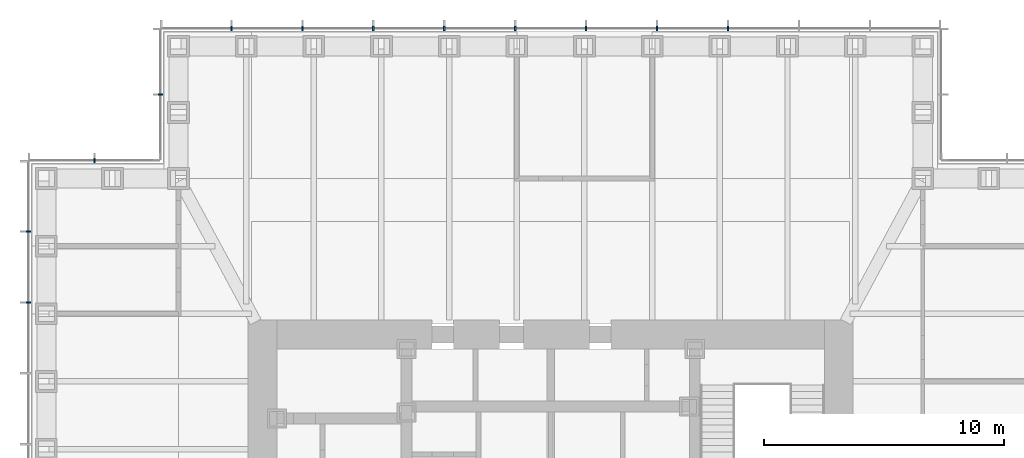
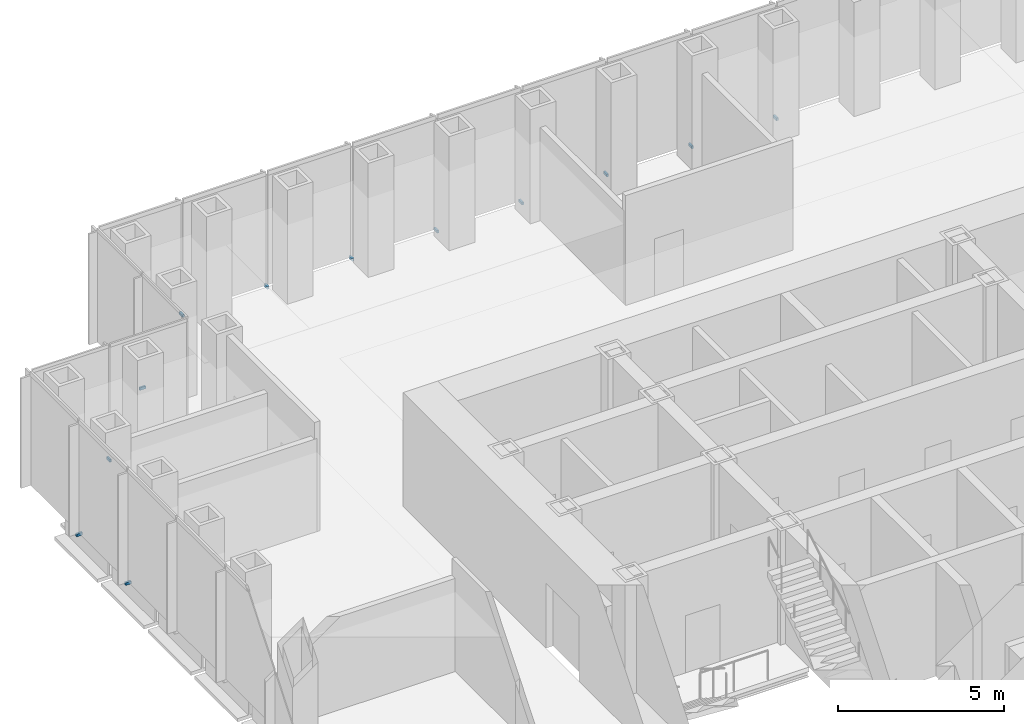
# One storey, part 14 of 16: 12 discrete accessories.
"""IFC4 building model written with IfcOpenShell, lengths in metres."""

from ifc_helpers import new_model, si_unit, direction, frame, origin, origin_2d, place, context, subcontext, project, spatial, rectangle, extrude, element, save


model = new_model("IFC4")

# Units and contexts
model_context = context("Model", 3, precision=1e-05, world=origin(), true_north=direction((0.0, 1.0)))
body_context = subcontext(model_context, "Body", "Model", "MODEL_VIEW")
ifc_project = project(units=[si_unit("LENGTHUNIT", "METRE"), si_unit("AREAUNIT", "SQUARE_METRE"), si_unit("VOLUMEUNIT", "CUBIC_METRE"), si_unit("PLANEANGLEUNIT", "RADIAN"), si_unit("MASSUNIT", "GRAM", prefix="KILO")], contexts=[model_context])

# Site, building, storey
site_placement = place(None, origin())
site = spatial("IfcSite", under=ifc_project, at=site_placement, CompositionType="ELEMENT")
building_placement = place(site_placement, origin())
building = spatial("IfcBuilding", under=site, at=building_placement, Name="Daluyong Arena Tower", CompositionType="ELEMENT")
storey_placement = place(building_placement, frame((0.0, 0.0, 198.10009765625)))
storey = spatial("IfcBuildingStorey", under=building, at=storey_placement, Name="L44", CompositionType="ELEMENT", Elevation=198.10009765625)

# Discrete accessories
for number, where, z_axis, x_axis, name in (
    (1, (63.386474609375, 101.75, -0.10009765625), (0.0, 0.0, 1.0), (-1.0, 0.0, 0.0), "curtain wall L44 N anchor bracket 4"),
    (2, (60.431884765625, 101.75, -0.10009765625), (0.0, 0.0, 1.0), (-1.0, 0.0, 0.0), "curtain wall L44 N anchor bracket 5"),
    (3, (57.477294921875, 101.75, -0.10009765625), (0.0, 0.0, 1.0), (-1.0, 0.0, 0.0), "curtain wall L44 N anchor bracket 6"),
    (4, (54.522705078125, 101.75, -0.10009765625), (0.0, 0.0, 1.0), (-1.0, 0.0, 0.0), "curtain wall L44 N anchor bracket 7"),
    (5, (51.568115234375, 101.75, -0.10009765625), (0.0, 0.0, 1.0), (-1.0, 0.0, 0.0), "curtain wall L44 N anchor bracket 8"),
    (6, (48.613525390625, 101.75, -0.10009765625), (0.0, 0.0, 1.0), (-1.0, 0.0, 0.0), "curtain wall L44 N anchor bracket 9"),
    (7, (45.6591796875, 101.75, -0.10009765625), (0.0, 0.0, 1.0), (-1.0, 0.0, 0.0), "curtain wall L44 N anchor bracket 10"),
    (8, (42.70458984375, 101.75, -0.10009765625), (0.0, 0.0, 1.0), (-1.0, 0.0, 0.0), "curtain wall L44 N anchor bracket 11"),
):
    element("IfcDiscreteAccessory", number, at=place(storey_placement, frame(where, z_axis=z_axis, x_axis=x_axis)), inside=storey, Name=name, PredefinedType="BRACKET", context=body_context, shape_type="SweptSolid", body=[
        extrude(rectangle(XDim=0.070068359375, YDim=0.199951171875, at=origin_2d()), origin(), (0.0, 0.0, 1.0), 0.10009765625),
    ])
for number, where, z_axis, x_axis, name in (
    (9, (39.75, 99.0, -0.10009765625), (0.0, 0.0, 1.0), (0.0, -1.0, 0.0), "curtain wall L44 NW-W anchor bracket 2"),
    (10, (37.0, 96.25, -0.10009765625), (0.0, 0.0, 1.0), (-1.0, 0.0, 0.0), "curtain wall L44 NW-N anchor bracket 2"),
):
    element("IfcDiscreteAccessory", number, at=place(storey_placement, frame(where, z_axis=z_axis, x_axis=x_axis)), inside=storey, Name=name, PredefinedType="BRACKET", context=body_context, shape_type="SweptSolid", body=[
        extrude(rectangle(XDim=0.06005859375, YDim=0.199951171875, at=origin_2d()), origin(), (0.0, 0.0, 1.0), 0.10009765625),
    ])
for number, where, z_axis, x_axis, name in (
    (11, (34.25, 93.29541015625, -0.10009765625), (0.0, 0.0, 1.0), (0.0, -1.0, 0.0), "curtain wall L44 W anchor bracket 2"),
    (12, (34.25, 90.3408203125, -0.10009765625), (0.0, 0.0, 1.0), (0.0, -1.0, 0.0), "curtain wall L44 W anchor bracket 3"),
):
    element("IfcDiscreteAccessory", number, at=place(storey_placement, frame(where, z_axis=z_axis, x_axis=x_axis)), inside=storey, Name=name, PredefinedType="BRACKET", context=body_context, shape_type="SweptSolid", body=[
        extrude(rectangle(XDim=0.070068359375, YDim=0.199951171875, at=origin_2d()), origin(), (0.0, 0.0, 1.0), 0.10009765625),
    ])

save(model, "model.ifc")
